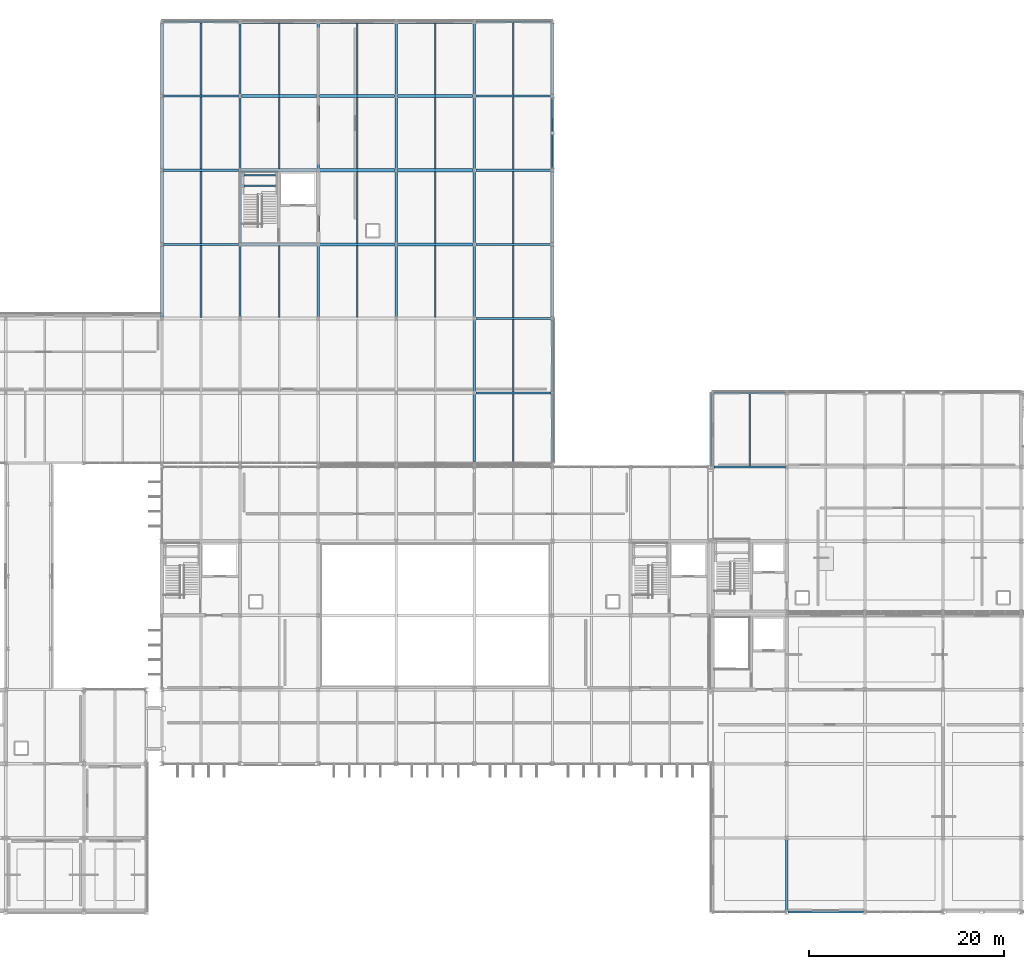
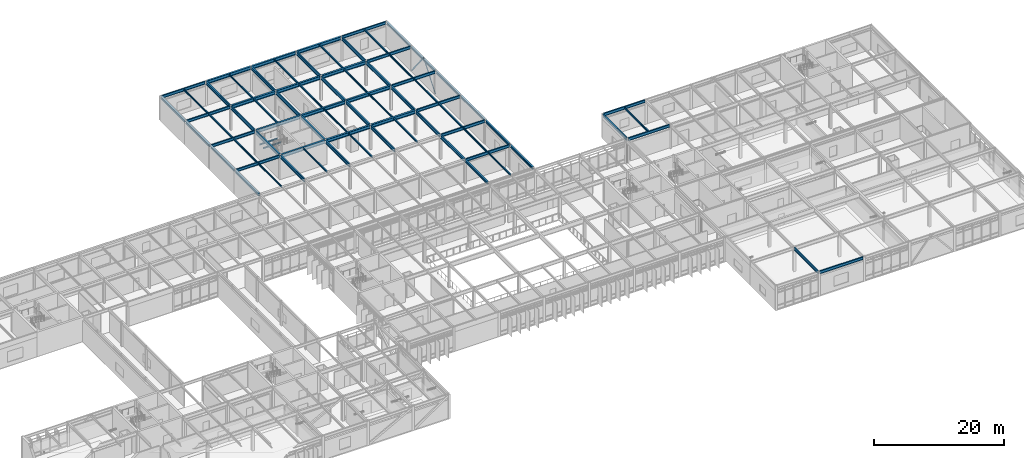
# One storey, part 56 of 104: 79 beams, 2 members.
"""IFC4 building model written with IfcOpenShell, lengths in metres."""

from ifc_helpers import new_model, si_unit, direction, frame, origin, origin_2d, place, context, subcontext, project, spatial, hollow_rectangle, i_section, extrude, material, material_profile, profile_set, type_object, element, save


model = new_model("IFC4")

# Units and contexts
model_context = context("Model", 3, precision=1e-05, world=origin(), true_north=direction((0.0, 1.0)))
body_context = subcontext(model_context, "Body", "Model", "MODEL_VIEW")
ifc_project = project(units=[si_unit("LENGTHUNIT", "METRE"), si_unit("AREAUNIT", "SQUARE_METRE"), si_unit("VOLUMEUNIT", "CUBIC_METRE"), si_unit("PLANEANGLEUNIT", "RADIAN"), si_unit("MASSUNIT", "GRAM", prefix="KILO")], contexts=[model_context])

# Site, building, storey
site_placement = place(None, origin())
site = spatial("IfcSite", under=ifc_project, at=site_placement, CompositionType="ELEMENT")
building_placement = place(site_placement, origin())
building = spatial("IfcBuilding", under=site, at=building_placement, Name="Zulena Civic Courthouse", CompositionType="ELEMENT")
storey_placement = place(building_placement, frame((0.0, 0.0, 15.60009765625)))
storey = spatial("IfcBuildingStorey", under=building, at=storey_placement, Name="L03", CompositionType="ELEMENT", Elevation=15.60009765625)

# Members
ifc_material_1 = material(Name="Steel ASTM A500 Grade C", Category="steel")
ifc_material_profile_1 = material_profile(ifc_material_1, hollow_rectangle(XDim=0.10205078125, YDim=0.202880859375, WallThickness=0.0087890625, at=origin_2d()), Name="HSS8X4X3/8")
ifc_profile_set_1 = profile_set([ifc_material_profile_1], Name="Steel ASTM A500 Grade C")
member_type = type_object("IfcMemberType", Name="Brace_HSS8X4", PredefinedType="BRACE", material=ifc_profile_set_1)
for number, where, z_axis, x_axis, name in (
    (1, (108.0, 76.14990234375, 0.010009765625), (0.0, 0.620508918116, 0.78419938953), (-1.0, 0.0, 0.0), "brace:V5:L03:6:0"),
    (2, (108.0, 83.449951171875, 0.010009765625), (0.0, -0.620483039335, 0.784219865788), (1.0, 0.0, 0.0), "brace:V5:L03:6:1"),
):
    element("IfcMember", number, at=place(storey_placement, frame(where, z_axis=z_axis, x_axis=x_axis)), inside=storey, type_object=member_type, Name=name, PredefinedType="BRACE", context=body_context, shape_type="SweptSolid", body=[
        extrude(hollow_rectangle(XDim=0.10205078125, YDim=0.202880859375, WallThickness=0.0087890625, at=origin_2d()), origin(), (0.0, 0.0, 1.0), 5.8017578125),
    ])

# Beams
ifc_material_2 = material(Name="Steel ASTM A992 Grade 50", Category="steel")
ifc_material_profile_2 = material_profile(ifc_material_2, i_section(OverallWidth=0.324951171875, OverallDepth=0.615966796875, WebThickness=0.013916015625, FlangeThickness=0.021484375, FilletRadius=0.0126953125, at=origin_2d()), Name="W24X117")
ifc_profile_set_2 = profile_set([ifc_material_profile_2], Name="Steel ASTM A992 Grade 50")
beam_type_1 = type_object("IfcBeamType", Name="Girder_W24X117", PredefinedType="BEAM", material=ifc_profile_set_2)
for number, where, z_axis, x_axis, name in (
    (3, (76.14501953125, 68.39990234375, 4.281982421875), (1.0, 0.0, 0.0), (0.0, 1.0, 0.0), "beam:X:V5:L03:68.4:76.0_84.0"),
    (4, (84.14501953125, 68.39990234375, 4.281982421875), (1.0, 0.0, 0.0), (0.0, 1.0, 0.0), "beam:X:V5:L03:68.4:84.0_92.0"),
    (5, (92.14501953125, 68.39990234375, 4.281982421875), (1.0, 0.0, 0.0), (0.0, 1.0, 0.0), "beam:X:V5:L03:68.4:92.0_100.0"),
    (6, (76.14501953125, 76.0, 4.281982421875), (1.0, 0.0, 0.0), (0.0, 1.0, 0.0), "beam:X:V5:L03:76.0:76.0_84.0"),
    (7, (84.14501953125, 76.0, 4.281982421875), (1.0, 0.0, 0.0), (0.0, 1.0, 0.0), "beam:X:V5:L03:76.0:84.0_92.0"),
    (8, (92.14501953125, 76.0, 4.281982421875), (1.0, 0.0, 0.0), (0.0, 1.0, 0.0), "beam:X:V5:L03:76.0:92.0_100.0"),
    (9, (76.14501953125, 83.60009765625, 4.281982421875), (1.0, 0.0, 0.0), (0.0, 1.0, 0.0), "beam:X:V5:L03:83.6:76.0_84.0"),
    (10, (84.14501953125, 83.60009765625, 4.281982421875), (1.0, 0.0, 0.0), (0.0, 1.0, 0.0), "beam:X:V5:L03:83.6:84.0_92.0"),
    (11, (92.14501953125, 83.60009765625, 4.281982421875), (1.0, 0.0, 0.0), (0.0, 1.0, 0.0), "beam:X:V5:L03:83.6:92.0_100.0"),
    (12, (76.14501953125, 91.199951171875, 4.281982421875), (1.0, 0.0, 0.0), (0.0, 1.0, 0.0), "beam:X:V5:L03:91.2:76.0_84.0"),
    (13, (84.14501953125, 91.199951171875, 4.281982421875), (1.0, 0.0, 0.0), (0.0, 1.0, 0.0), "beam:X:V5:L03:91.2:84.0_92.0"),
    (14, (92.14501953125, 91.199951171875, 4.281982421875), (1.0, 0.0, 0.0), (0.0, 1.0, 0.0), "beam:X:V5:L03:91.2:92.0_100.0"),
):
    element("IfcBeam", number, at=place(storey_placement, frame(where, z_axis=z_axis, x_axis=x_axis)), inside=storey, type_object=beam_type_1, Name=name, PredefinedType="BEAM", context=body_context, shape_type="SweptSolid", body=[
        extrude(i_section(OverallWidth=0.324951171875, OverallDepth=0.615966796875, WebThickness=0.013916015625, FlangeThickness=0.021484375, FilletRadius=0.0126953125, at=origin_2d()), origin(), (0.0, 0.0, 1.0), 7.7099609375),
    ])
ifc_material_profile_3 = material_profile(ifc_material_2, i_section(OverallWidth=0.22998046875, OverallDepth=0.616943359375, WebThickness=0.01318359375, FlangeThickness=0.022216796875, FilletRadius=0.0126953125, at=origin_2d()), Name="W24X94")
ifc_profile_set_3 = profile_set([ifc_material_profile_3], Name="Steel ASTM A992 Grade 50")
beam_type_2 = type_object("IfcBeamType", Name="Girder_W24X94", PredefinedType="BEAM", material=ifc_profile_set_3)
beam_1_placement = place(storey_placement, frame((76.0, 60.945068359375, 4.281494140625), z_axis=(0.0, 1.0, 0.0), x_axis=(-1.0, 0.0, 0.0)))
element("IfcBeam", 15, at=beam_1_placement, inside=storey, type_object=beam_type_2, Name="beam:Y:V5:L03:76.0:60.8_68.4", PredefinedType="BEAM", context=body_context, shape_type="SweptSolid", body=[
    extrude(i_section(OverallWidth=0.22998046875, OverallDepth=0.616943359375, WebThickness=0.01318359375, FlangeThickness=0.022216796875, FilletRadius=0.0126953125, at=origin_2d()), origin(), (0.0, 0.0, 1.0), 7.309814453125),
])
for number, where, z_axis, x_axis, name in (
    (16, (76.0, 68.544921875, 4.281494140625), (0.0, 1.0, 0.0), (-1.0, 0.0, 0.0), "beam:Y:V5:L03:76.0:68.4_76.0"),
    (17, (76.0, 76.14501953125, 4.281494140625), (0.0, 1.0, 0.0), (-1.0, 0.0, 0.0), "beam:Y:V5:L03:76.0:76.0_83.6"),
):
    element("IfcBeam", number, at=place(storey_placement, frame(where, z_axis=z_axis, x_axis=x_axis)), inside=storey, type_object=beam_type_2, Name=name, PredefinedType="BEAM", context=body_context, shape_type="SweptSolid", body=[
        extrude(i_section(OverallWidth=0.22998046875, OverallDepth=0.616943359375, WebThickness=0.01318359375, FlangeThickness=0.022216796875, FilletRadius=0.0126953125, at=origin_2d()), origin(), (0.0, 0.0, 1.0), 7.31005859375),
    ])
for number, where, z_axis, x_axis, name in (
    (18, (76.0, 83.7451171875, 4.281494140625), (0.0, 1.0, 0.0), (-1.0, 0.0, 0.0), "beam:Y:V5:L03:76.0:83.6_91.2"),
    (19, (84.0, 60.945068359375, 4.281494140625), (0.0, 1.0, 0.0), (-1.0, 0.0, 0.0), "beam:Y:V5:L03:84.0:60.8_68.4"),
):
    element("IfcBeam", number, at=place(storey_placement, frame(where, z_axis=z_axis, x_axis=x_axis)), inside=storey, type_object=beam_type_2, Name=name, PredefinedType="BEAM", context=body_context, shape_type="SweptSolid", body=[
        extrude(i_section(OverallWidth=0.22998046875, OverallDepth=0.616943359375, WebThickness=0.01318359375, FlangeThickness=0.022216796875, FilletRadius=0.0126953125, at=origin_2d()), origin(), (0.0, 0.0, 1.0), 7.309814453125),
    ])
for number, where, z_axis, x_axis, name in (
    (20, (84.0, 68.544921875, 4.281494140625), (0.0, 1.0, 0.0), (-1.0, 0.0, 0.0), "beam:Y:V5:L03:84.0:68.4_76.0"),
    (21, (84.0, 76.14501953125, 4.281494140625), (0.0, 1.0, 0.0), (-1.0, 0.0, 0.0), "beam:Y:V5:L03:84.0:76.0_83.6"),
):
    element("IfcBeam", number, at=place(storey_placement, frame(where, z_axis=z_axis, x_axis=x_axis)), inside=storey, type_object=beam_type_2, Name=name, PredefinedType="BEAM", context=body_context, shape_type="SweptSolid", body=[
        extrude(i_section(OverallWidth=0.22998046875, OverallDepth=0.616943359375, WebThickness=0.01318359375, FlangeThickness=0.022216796875, FilletRadius=0.0126953125, at=origin_2d()), origin(), (0.0, 0.0, 1.0), 7.31005859375),
    ])
for number, where, z_axis, x_axis, name in (
    (22, (84.0, 83.7451171875, 4.281494140625), (0.0, 1.0, 0.0), (-1.0, 0.0, 0.0), "beam:Y:V5:L03:84.0:83.6_91.2"),
    (23, (92.0, 60.945068359375, 4.281494140625), (0.0, 1.0, 0.0), (-1.0, 0.0, 0.0), "beam:Y:V5:L03:92.0:60.8_68.4"),
):
    element("IfcBeam", number, at=place(storey_placement, frame(where, z_axis=z_axis, x_axis=x_axis)), inside=storey, type_object=beam_type_2, Name=name, PredefinedType="BEAM", context=body_context, shape_type="SweptSolid", body=[
        extrude(i_section(OverallWidth=0.22998046875, OverallDepth=0.616943359375, WebThickness=0.01318359375, FlangeThickness=0.022216796875, FilletRadius=0.0126953125, at=origin_2d()), origin(), (0.0, 0.0, 1.0), 7.309814453125),
    ])
for number, where, z_axis, x_axis, name in (
    (24, (92.0, 68.544921875, 4.281494140625), (0.0, 1.0, 0.0), (-1.0, 0.0, 0.0), "beam:Y:V5:L03:92.0:68.4_76.0"),
    (25, (92.0, 76.14501953125, 4.281494140625), (0.0, 1.0, 0.0), (-1.0, 0.0, 0.0), "beam:Y:V5:L03:92.0:76.0_83.6"),
):
    element("IfcBeam", number, at=place(storey_placement, frame(where, z_axis=z_axis, x_axis=x_axis)), inside=storey, type_object=beam_type_2, Name=name, PredefinedType="BEAM", context=body_context, shape_type="SweptSolid", body=[
        extrude(i_section(OverallWidth=0.22998046875, OverallDepth=0.616943359375, WebThickness=0.01318359375, FlangeThickness=0.022216796875, FilletRadius=0.0126953125, at=origin_2d()), origin(), (0.0, 0.0, 1.0), 7.31005859375),
    ])
beam_2_placement = place(storey_placement, frame((92.0, 83.7451171875, 4.281494140625), z_axis=(0.0, 1.0, 0.0), x_axis=(-1.0, 0.0, 0.0)))
element("IfcBeam", 26, at=beam_2_placement, inside=storey, type_object=beam_type_2, Name="beam:Y:V5:L03:92.0:83.6_91.2", PredefinedType="BEAM", context=body_context, shape_type="SweptSolid", body=[
    extrude(i_section(OverallWidth=0.22998046875, OverallDepth=0.616943359375, WebThickness=0.01318359375, FlangeThickness=0.022216796875, FilletRadius=0.0126953125, at=origin_2d()), origin(), (0.0, 0.0, 1.0), 7.309814453125),
])
beam_3_placement = place(storey_placement, frame((100.0, 53.344970703125, 4.281494140625), z_axis=(0.0, 1.0, 0.0), x_axis=(-1.0, 0.0, 0.0)))
element("IfcBeam", 27, at=beam_3_placement, inside=storey, type_object=beam_type_2, Name="beam:Y:V5:L03:100.0:53.2_60.8", PredefinedType="BEAM", context=body_context, shape_type="SweptSolid", body=[
    extrude(i_section(OverallWidth=0.22998046875, OverallDepth=0.616943359375, WebThickness=0.01318359375, FlangeThickness=0.022216796875, FilletRadius=0.0126953125, at=origin_2d()), origin(), (0.0, 0.0, 1.0), 7.31005859375),
])
beam_4_placement = place(storey_placement, frame((100.0, 60.945068359375, 4.281494140625), z_axis=(0.0, 1.0, 0.0), x_axis=(-1.0, 0.0, 0.0)))
element("IfcBeam", 28, at=beam_4_placement, inside=storey, type_object=beam_type_2, Name="beam:Y:V5:L03:100.0:60.8_68.4", PredefinedType="BEAM", context=body_context, shape_type="SweptSolid", body=[
    extrude(i_section(OverallWidth=0.22998046875, OverallDepth=0.616943359375, WebThickness=0.01318359375, FlangeThickness=0.022216796875, FilletRadius=0.0126953125, at=origin_2d()), origin(), (0.0, 0.0, 1.0), 7.309814453125),
])
for number, where, z_axis, x_axis, name in (
    (29, (100.0, 68.544921875, 4.281494140625), (0.0, 1.0, 0.0), (-1.0, 0.0, 0.0), "beam:Y:V5:L03:100.0:68.4_76.0"),
    (30, (100.0, 76.14501953125, 4.281494140625), (0.0, 1.0, 0.0), (-1.0, 0.0, 0.0), "beam:Y:V5:L03:100.0:76.0_83.6"),
):
    element("IfcBeam", number, at=place(storey_placement, frame(where, z_axis=z_axis, x_axis=x_axis)), inside=storey, type_object=beam_type_2, Name=name, PredefinedType="BEAM", context=body_context, shape_type="SweptSolid", body=[
        extrude(i_section(OverallWidth=0.22998046875, OverallDepth=0.616943359375, WebThickness=0.01318359375, FlangeThickness=0.022216796875, FilletRadius=0.0126953125, at=origin_2d()), origin(), (0.0, 0.0, 1.0), 7.31005859375),
    ])
beam_5_placement = place(storey_placement, frame((100.0, 83.7451171875, 4.281494140625), z_axis=(0.0, 1.0, 0.0), x_axis=(-1.0, 0.0, 0.0)))
element("IfcBeam", 31, at=beam_5_placement, inside=storey, type_object=beam_type_2, Name="beam:Y:V5:L03:100.0:83.6_91.2", PredefinedType="BEAM", context=body_context, shape_type="SweptSolid", body=[
    extrude(i_section(OverallWidth=0.22998046875, OverallDepth=0.616943359375, WebThickness=0.01318359375, FlangeThickness=0.022216796875, FilletRadius=0.0126953125, at=origin_2d()), origin(), (0.0, 0.0, 1.0), 7.309814453125),
])
ifc_material_profile_4 = material_profile(ifc_material_2, i_section(OverallWidth=0.14599609375, OverallDepth=0.258056640625, WebThickness=0.006103515625, FlangeThickness=0.009033203125, FilletRadius=0.007568359375, at=origin_2d()), Name="W10X22")
ifc_profile_set_4 = profile_set([ifc_material_profile_4], Name="Steel ASTM A992 Grade 50")
beam_type_3 = type_object("IfcBeamType", Name="Joist_W10X22", PredefinedType="JOIST", material=ifc_profile_set_4)
for number, where, z_axis, x_axis, name in (
    (32, (76.419921875, 74.39990234375, 1.990966796875), (1.0, 0.0, 0.0), (0.0, 1.0, 0.0), "beam:lnd:K5B:L03:0"),
    (33, (76.419921875, 75.5, 1.990966796875), (1.0, 0.0, 0.0), (0.0, 1.0, 0.0), "beam:lnd:K5B:L03:1"),
):
    element("IfcBeam", number, at=place(storey_placement, frame(where, z_axis=z_axis, x_axis=x_axis)), inside=storey, type_object=beam_type_3, Name=name, PredefinedType="JOIST", context=body_context, shape_type="SweptSolid", body=[
        extrude(i_section(OverallWidth=0.14599609375, OverallDepth=0.258056640625, WebThickness=0.006103515625, FlangeThickness=0.009033203125, FilletRadius=0.007568359375, at=origin_2d()), origin(), (0.0, 0.0, 1.0), 3.2001953125),
    ])
ifc_material_profile_5 = material_profile(ifc_material_2, i_section(OverallWidth=0.1650390625, OverallDepth=0.31005859375, WebThickness=0.005859375, FlangeThickness=0.009765625, FilletRadius=0.009765625, at=origin_2d()), Name="W12X26")
ifc_profile_set_5 = profile_set([ifc_material_profile_5], Name="Steel ASTM A992 Grade 50")
beam_type_4 = type_object("IfcBeamType", Name="Joist_W12X26", PredefinedType="JOIST", material=ifc_profile_set_5)
beam_6_placement = place(storey_placement, frame((72.0, 60.905029296875, 4.434814453125), z_axis=(0.0, 1.0, 0.0), x_axis=(-1.0, 0.0, 0.0)))
element("IfcBeam", 34, at=beam_6_placement, inside=storey, type_object=beam_type_4, Name="joist:V5:L03:72.00:60.8_68.4", PredefinedType="JOIST", context=body_context, shape_type="SweptSolid", body=[
    extrude(i_section(OverallWidth=0.1650390625, OverallDepth=0.31005859375, WebThickness=0.005859375, FlangeThickness=0.009765625, FilletRadius=0.009765625, at=origin_2d()), origin(), (0.0, 0.0, 1.0), 7.389892578125),
])
for number, where, z_axis, x_axis, name in (
    (35, (72.0, 68.5048828125, 4.434814453125), (0.0, 1.0, 0.0), (-1.0, 0.0, 0.0), "joist:V5:L03:72.00:68.4_76.0"),
    (36, (72.0, 76.10498046875, 4.434814453125), (0.0, 1.0, 0.0), (-1.0, 0.0, 0.0), "joist:V5:L03:72.00:76.0_83.6"),
):
    element("IfcBeam", number, at=place(storey_placement, frame(where, z_axis=z_axis, x_axis=x_axis)), inside=storey, type_object=beam_type_4, Name=name, PredefinedType="JOIST", context=body_context, shape_type="SweptSolid", body=[
        extrude(i_section(OverallWidth=0.1650390625, OverallDepth=0.31005859375, WebThickness=0.005859375, FlangeThickness=0.009765625, FilletRadius=0.009765625, at=origin_2d()), origin(), (0.0, 0.0, 1.0), 7.39013671875),
    ])
for number, where, z_axis, x_axis, name in (
    (37, (72.0, 83.705078125, 4.434814453125), (0.0, 1.0, 0.0), (-1.0, 0.0, 0.0), "joist:V5:L03:72.00:83.6_91.2"),
    (38, (80.0, 60.905029296875, 4.434814453125), (0.0, 1.0, 0.0), (-1.0, 0.0, 0.0), "joist:V5:L03:80.00:60.8_68.4"),
):
    element("IfcBeam", number, at=place(storey_placement, frame(where, z_axis=z_axis, x_axis=x_axis)), inside=storey, type_object=beam_type_4, Name=name, PredefinedType="JOIST", context=body_context, shape_type="SweptSolid", body=[
        extrude(i_section(OverallWidth=0.1650390625, OverallDepth=0.31005859375, WebThickness=0.005859375, FlangeThickness=0.009765625, FilletRadius=0.009765625, at=origin_2d()), origin(), (0.0, 0.0, 1.0), 7.389892578125),
    ])
beam_7_placement = place(storey_placement, frame((80.0, 76.10498046875, 4.434814453125), z_axis=(0.0, 1.0, 0.0), x_axis=(-1.0, 0.0, 0.0)))
element("IfcBeam", 39, at=beam_7_placement, inside=storey, type_object=beam_type_4, Name="joist:V5:L03:80.00:76.0_83.6", PredefinedType="JOIST", context=body_context, shape_type="SweptSolid", body=[
    extrude(i_section(OverallWidth=0.1650390625, OverallDepth=0.31005859375, WebThickness=0.005859375, FlangeThickness=0.009765625, FilletRadius=0.009765625, at=origin_2d()), origin(), (0.0, 0.0, 1.0), 7.39013671875),
])
for number, where, z_axis, x_axis, name in (
    (40, (80.0, 83.705078125, 4.434814453125), (0.0, 1.0, 0.0), (-1.0, 0.0, 0.0), "joist:V5:L03:80.00:83.6_91.2"),
    (41, (88.0, 60.905029296875, 4.434814453125), (0.0, 1.0, 0.0), (-1.0, 0.0, 0.0), "joist:V5:L03:88.00:60.8_68.4"),
):
    element("IfcBeam", number, at=place(storey_placement, frame(where, z_axis=z_axis, x_axis=x_axis)), inside=storey, type_object=beam_type_4, Name=name, PredefinedType="JOIST", context=body_context, shape_type="SweptSolid", body=[
        extrude(i_section(OverallWidth=0.1650390625, OverallDepth=0.31005859375, WebThickness=0.005859375, FlangeThickness=0.009765625, FilletRadius=0.009765625, at=origin_2d()), origin(), (0.0, 0.0, 1.0), 7.389892578125),
    ])
for number, where, z_axis, x_axis, name in (
    (42, (88.0, 68.5048828125, 4.434814453125), (0.0, 1.0, 0.0), (-1.0, 0.0, 0.0), "joist:V5:L03:88.00:68.4_76.0"),
    (43, (88.0, 76.10498046875, 4.434814453125), (0.0, 1.0, 0.0), (-1.0, 0.0, 0.0), "joist:V5:L03:88.00:76.0_83.6"),
):
    element("IfcBeam", number, at=place(storey_placement, frame(where, z_axis=z_axis, x_axis=x_axis)), inside=storey, type_object=beam_type_4, Name=name, PredefinedType="JOIST", context=body_context, shape_type="SweptSolid", body=[
        extrude(i_section(OverallWidth=0.1650390625, OverallDepth=0.31005859375, WebThickness=0.005859375, FlangeThickness=0.009765625, FilletRadius=0.009765625, at=origin_2d()), origin(), (0.0, 0.0, 1.0), 7.39013671875),
    ])
for number, where, z_axis, x_axis, name in (
    (44, (88.0, 83.705078125, 4.434814453125), (0.0, 1.0, 0.0), (-1.0, 0.0, 0.0), "joist:V5:L03:88.00:83.6_91.2"),
    (45, (96.0, 60.905029296875, 4.434814453125), (0.0, 1.0, 0.0), (-1.0, 0.0, 0.0), "joist:V5:L03:96.00:60.8_68.4"),
):
    element("IfcBeam", number, at=place(storey_placement, frame(where, z_axis=z_axis, x_axis=x_axis)), inside=storey, type_object=beam_type_4, Name=name, PredefinedType="JOIST", context=body_context, shape_type="SweptSolid", body=[
        extrude(i_section(OverallWidth=0.1650390625, OverallDepth=0.31005859375, WebThickness=0.005859375, FlangeThickness=0.009765625, FilletRadius=0.009765625, at=origin_2d()), origin(), (0.0, 0.0, 1.0), 7.389892578125),
    ])
for number, where, z_axis, x_axis, name in (
    (46, (96.0, 68.5048828125, 4.434814453125), (0.0, 1.0, 0.0), (-1.0, 0.0, 0.0), "joist:V5:L03:96.00:68.4_76.0"),
    (47, (96.0, 76.10498046875, 4.434814453125), (0.0, 1.0, 0.0), (-1.0, 0.0, 0.0), "joist:V5:L03:96.00:76.0_83.6"),
):
    element("IfcBeam", number, at=place(storey_placement, frame(where, z_axis=z_axis, x_axis=x_axis)), inside=storey, type_object=beam_type_4, Name=name, PredefinedType="JOIST", context=body_context, shape_type="SweptSolid", body=[
        extrude(i_section(OverallWidth=0.1650390625, OverallDepth=0.31005859375, WebThickness=0.005859375, FlangeThickness=0.009765625, FilletRadius=0.009765625, at=origin_2d()), origin(), (0.0, 0.0, 1.0), 7.39013671875),
    ])
beam_8_placement = place(storey_placement, frame((96.0, 83.705078125, 4.434814453125), z_axis=(0.0, 1.0, 0.0), x_axis=(-1.0, 0.0, 0.0)))
element("IfcBeam", 48, at=beam_8_placement, inside=storey, type_object=beam_type_4, Name="joist:V5:L03:96.00:83.6_91.2", PredefinedType="JOIST", context=body_context, shape_type="SweptSolid", body=[
    extrude(i_section(OverallWidth=0.1650390625, OverallDepth=0.31005859375, WebThickness=0.005859375, FlangeThickness=0.009765625, FilletRadius=0.009765625, at=origin_2d()), origin(), (0.0, 0.0, 1.0), 7.389892578125),
])
beam_9_placement = place(storey_placement, frame((104.0, 46.10498046875, 4.434814453125), z_axis=(0.0, 1.0, 0.0), x_axis=(-1.0, 0.0, 0.0)))
element("IfcBeam", 49, at=beam_9_placement, inside=storey, type_object=beam_type_4, Name="joist:V5:L03:104.00:46.0_53.2", PredefinedType="JOIST", context=body_context, shape_type="SweptSolid", body=[
    extrude(i_section(OverallWidth=0.1650390625, OverallDepth=0.31005859375, WebThickness=0.005859375, FlangeThickness=0.009765625, FilletRadius=0.009765625, at=origin_2d()), origin(), (0.0, 0.0, 1.0), 6.989990234375),
])
beam_10_placement = place(storey_placement, frame((104.0, 53.304931640625, 4.434814453125), z_axis=(0.0, 1.0, 0.0), x_axis=(-1.0, 0.0, 0.0)))
element("IfcBeam", 50, at=beam_10_placement, inside=storey, type_object=beam_type_4, Name="joist:V5:L03:104.00:53.2_60.8", PredefinedType="JOIST", context=body_context, shape_type="SweptSolid", body=[
    extrude(i_section(OverallWidth=0.1650390625, OverallDepth=0.31005859375, WebThickness=0.005859375, FlangeThickness=0.009765625, FilletRadius=0.009765625, at=origin_2d()), origin(), (0.0, 0.0, 1.0), 7.39013671875),
])
beam_11_placement = place(storey_placement, frame((104.0, 60.905029296875, 4.434814453125), z_axis=(0.0, 1.0, 0.0), x_axis=(-1.0, 0.0, 0.0)))
element("IfcBeam", 51, at=beam_11_placement, inside=storey, type_object=beam_type_4, Name="joist:V5:L03:104.00:60.8_68.4", PredefinedType="JOIST", context=body_context, shape_type="SweptSolid", body=[
    extrude(i_section(OverallWidth=0.1650390625, OverallDepth=0.31005859375, WebThickness=0.005859375, FlangeThickness=0.009765625, FilletRadius=0.009765625, at=origin_2d()), origin(), (0.0, 0.0, 1.0), 7.389892578125),
])
for number, where, z_axis, x_axis, name in (
    (52, (104.0, 68.5048828125, 4.434814453125), (0.0, 1.0, 0.0), (-1.0, 0.0, 0.0), "joist:V5:L03:104.00:68.4_76.0"),
    (53, (104.0, 76.10498046875, 4.434814453125), (0.0, 1.0, 0.0), (-1.0, 0.0, 0.0), "joist:V5:L03:104.00:76.0_83.6"),
):
    element("IfcBeam", number, at=place(storey_placement, frame(where, z_axis=z_axis, x_axis=x_axis)), inside=storey, type_object=beam_type_4, Name=name, PredefinedType="JOIST", context=body_context, shape_type="SweptSolid", body=[
        extrude(i_section(OverallWidth=0.1650390625, OverallDepth=0.31005859375, WebThickness=0.005859375, FlangeThickness=0.009765625, FilletRadius=0.009765625, at=origin_2d()), origin(), (0.0, 0.0, 1.0), 7.39013671875),
    ])
beam_12_placement = place(storey_placement, frame((104.0, 83.705078125, 4.434814453125), z_axis=(0.0, 1.0, 0.0), x_axis=(-1.0, 0.0, 0.0)))
element("IfcBeam", 54, at=beam_12_placement, inside=storey, type_object=beam_type_4, Name="joist:V5:L03:104.00:83.6_91.2", PredefinedType="JOIST", context=body_context, shape_type="SweptSolid", body=[
    extrude(i_section(OverallWidth=0.1650390625, OverallDepth=0.31005859375, WebThickness=0.005859375, FlangeThickness=0.009765625, FilletRadius=0.009765625, at=origin_2d()), origin(), (0.0, 0.0, 1.0), 7.389892578125),
])
ifc_material_profile_6 = material_profile(ifc_material_2, i_section(OverallWidth=0.1708984375, OverallDepth=0.35205078125, WebThickness=0.0068359375, FlangeThickness=0.009765625, FilletRadius=0.01025390625, at=origin_2d()), Name="W14X30")
ifc_profile_set_6 = profile_set([ifc_material_profile_6], Name="Steel ASTM A992 Grade 50")
beam_type_5 = type_object("IfcBeamType", Name="Joist_W14X30", PredefinedType="JOIST", material=ifc_profile_set_6)
beam_13_placement = place(storey_placement, frame((128.199951171875, 45.705078125, 4.368896484375), z_axis=(0.0, 1.0, 0.0), x_axis=(-1.0, 0.0, 0.0)))
element("IfcBeam", 55, at=beam_13_placement, inside=storey, type_object=beam_type_5, Name="joist:V3:L03:128.20:45.6_53.2", PredefinedType="JOIST", context=body_context, shape_type="SweptSolid", body=[
    extrude(i_section(OverallWidth=0.1708984375, OverallDepth=0.35205078125, WebThickness=0.0068359375, FlangeThickness=0.009765625, FilletRadius=0.01025390625, at=origin_2d()), origin(), (0.0, 0.0, 1.0), 7.389892578125),
])
ifc_material_profile_7 = material_profile(ifc_material_2, i_section(OverallWidth=0.280029296875, OverallDepth=0.462890625, WebThickness=0.0107421875, FlangeThickness=0.017333984375, FilletRadius=0.01025390625, at=origin_2d()), Name="W18X76")
ifc_profile_set_7 = profile_set([ifc_material_profile_7], Name="Steel ASTM A992 Grade 50")
beam_type_6 = type_object("IfcBeamType", Name="Spandrel_W18X76", PredefinedType="SPANDREL", material=ifc_profile_set_7)
beam_14_placement = place(storey_placement, frame((68.0, 60.945068359375, 4.3583984375), z_axis=(0.0, 1.0, 0.0), x_axis=(-1.0, 0.0, 0.0)))
element("IfcBeam", 56, at=beam_14_placement, inside=storey, type_object=beam_type_6, Name="beam:Y:V5:L03:68.0:60.8_68.4", PredefinedType="SPANDREL", context=body_context, shape_type="SweptSolid", body=[
    extrude(i_section(OverallWidth=0.280029296875, OverallDepth=0.462890625, WebThickness=0.0107421875, FlangeThickness=0.017333984375, FilletRadius=0.01025390625, at=origin_2d()), origin(), (0.0, 0.0, 1.0), 7.309814453125),
])
for number, where, z_axis, x_axis, name in (
    (57, (68.0, 68.544921875, 4.3583984375), (0.0, 1.0, 0.0), (-1.0, 0.0, 0.0), "beam:Y:V5:L03:68.0:68.4_76.0"),
    (58, (68.0, 76.14501953125, 4.3583984375), (0.0, 1.0, 0.0), (-1.0, 0.0, 0.0), "beam:Y:V5:L03:68.0:76.0_83.6"),
):
    element("IfcBeam", number, at=place(storey_placement, frame(where, z_axis=z_axis, x_axis=x_axis)), inside=storey, type_object=beam_type_6, Name=name, PredefinedType="SPANDREL", context=body_context, shape_type="SweptSolid", body=[
        extrude(i_section(OverallWidth=0.280029296875, OverallDepth=0.462890625, WebThickness=0.0107421875, FlangeThickness=0.017333984375, FilletRadius=0.01025390625, at=origin_2d()), origin(), (0.0, 0.0, 1.0), 7.31005859375),
    ])
beam_15_placement = place(storey_placement, frame((68.0, 83.7451171875, 4.3583984375), z_axis=(0.0, 1.0, 0.0), x_axis=(-1.0, 0.0, 0.0)))
element("IfcBeam", 59, at=beam_15_placement, inside=storey, type_object=beam_type_6, Name="beam:Y:V5:L03:68.0:83.6_91.2", PredefinedType="SPANDREL", context=body_context, shape_type="SweptSolid", body=[
    extrude(i_section(OverallWidth=0.280029296875, OverallDepth=0.462890625, WebThickness=0.0107421875, FlangeThickness=0.017333984375, FilletRadius=0.01025390625, at=origin_2d()), origin(), (0.0, 0.0, 1.0), 7.309814453125),
])
for number, where, z_axis, x_axis, name in (
    (60, (100.0, 46.14501953125, 4.3583984375), (0.0, 1.0, 0.0), (-1.0, 0.0, 0.0), "beam:Y:V5:L03:100.0:46.0_53.2"),
    (61, (108.0, 46.14501953125, 4.3583984375), (0.0, 1.0, 0.0), (-1.0, 0.0, 0.0), "beam:Y:V5:L03:108.0:46.0_53.2"),
):
    element("IfcBeam", number, at=place(storey_placement, frame(where, z_axis=z_axis, x_axis=x_axis)), inside=storey, type_object=beam_type_6, Name=name, PredefinedType="SPANDREL", context=body_context, shape_type="SweptSolid", body=[
        extrude(i_section(OverallWidth=0.280029296875, OverallDepth=0.462890625, WebThickness=0.0107421875, FlangeThickness=0.017333984375, FilletRadius=0.01025390625, at=origin_2d()), origin(), (0.0, 0.0, 1.0), 6.909912109375),
    ])
beam_16_placement = place(storey_placement, frame((108.0, 53.344970703125, 4.3583984375), z_axis=(0.0, 1.0, 0.0), x_axis=(-1.0, 0.0, 0.0)))
element("IfcBeam", 62, at=beam_16_placement, inside=storey, type_object=beam_type_6, Name="beam:Y:V5:L03:108.0:53.2_60.8", PredefinedType="SPANDREL", context=body_context, shape_type="SweptSolid", body=[
    extrude(i_section(OverallWidth=0.280029296875, OverallDepth=0.462890625, WebThickness=0.0107421875, FlangeThickness=0.017333984375, FilletRadius=0.01025390625, at=origin_2d()), origin(), (0.0, 0.0, 1.0), 7.31005859375),
])
beam_17_placement = place(storey_placement, frame((108.0, 60.945068359375, 4.3583984375), z_axis=(0.0, 1.0, 0.0), x_axis=(-1.0, 0.0, 0.0)))
element("IfcBeam", 63, at=beam_17_placement, inside=storey, type_object=beam_type_6, Name="beam:Y:V5:L03:108.0:60.8_68.4", PredefinedType="SPANDREL", context=body_context, shape_type="SweptSolid", body=[
    extrude(i_section(OverallWidth=0.280029296875, OverallDepth=0.462890625, WebThickness=0.0107421875, FlangeThickness=0.017333984375, FilletRadius=0.01025390625, at=origin_2d()), origin(), (0.0, 0.0, 1.0), 7.309814453125),
])
for number, where, z_axis, x_axis, name in (
    (64, (108.0, 68.544921875, 4.3583984375), (0.0, 1.0, 0.0), (-1.0, 0.0, 0.0), "beam:Y:V5:L03:108.0:68.4_76.0"),
    (65, (108.0, 76.14501953125, 4.3583984375), (0.0, 1.0, 0.0), (-1.0, 0.0, 0.0), "beam:Y:V5:L03:108.0:76.0_83.6"),
):
    element("IfcBeam", number, at=place(storey_placement, frame(where, z_axis=z_axis, x_axis=x_axis)), inside=storey, type_object=beam_type_6, Name=name, PredefinedType="SPANDREL", context=body_context, shape_type="SweptSolid", body=[
        extrude(i_section(OverallWidth=0.280029296875, OverallDepth=0.462890625, WebThickness=0.0107421875, FlangeThickness=0.017333984375, FilletRadius=0.01025390625, at=origin_2d()), origin(), (0.0, 0.0, 1.0), 7.31005859375),
    ])
beam_18_placement = place(storey_placement, frame((108.0, 83.7451171875, 4.3583984375), z_axis=(0.0, 1.0, 0.0), x_axis=(-1.0, 0.0, 0.0)))
element("IfcBeam", 66, at=beam_18_placement, inside=storey, type_object=beam_type_6, Name="beam:Y:V5:L03:108.0:83.6_91.2", PredefinedType="SPANDREL", context=body_context, shape_type="SweptSolid", body=[
    extrude(i_section(OverallWidth=0.280029296875, OverallDepth=0.462890625, WebThickness=0.0107421875, FlangeThickness=0.017333984375, FilletRadius=0.01025390625, at=origin_2d()), origin(), (0.0, 0.0, 1.0), 7.309814453125),
])
ifc_material_profile_8 = material_profile(ifc_material_2, i_section(OverallWidth=0.2099609375, OverallDepth=0.537109375, WebThickness=0.010986328125, FlangeThickness=0.017333984375, FilletRadius=0.0126953125, at=origin_2d()), Name="W21X68")
ifc_profile_set_8 = profile_set([ifc_material_profile_8], Name="Steel ASTM A992 Grade 50")
beam_type_7 = type_object("IfcBeamType", Name="Spandrel_W21X68", PredefinedType="SPANDREL", material=ifc_profile_set_8)
beam_19_placement = place(storey_placement, frame((132.14501953125, 0.0, 4.326416015625), z_axis=(1.0, 0.0, 0.0), x_axis=(0.0, 1.0, 0.0)))
element("IfcBeam", 67, at=beam_19_placement, inside=storey, type_object=beam_type_7, Name="beam:X:V1:L03:0.0:132.0_140.0", PredefinedType="SPANDREL", context=body_context, shape_type="SweptSolid", body=[
    extrude(i_section(OverallWidth=0.2099609375, OverallDepth=0.537109375, WebThickness=0.010986328125, FlangeThickness=0.017333984375, FilletRadius=0.0126953125, at=origin_2d()), origin(), (0.0, 0.0, 1.0), 7.7099609375),
])
for number, where, z_axis, x_axis, name in (
    (68, (132.0, 0.14501953125, 4.326416015625), (0.0, 1.0, 0.0), (-1.0, 0.0, 0.0), "beam:Y:V1:L03:132.0:0.0_7.6"),
    (69, (124.544921875, 45.60009765625, 4.2763671875), (1.0, 0.0, 0.0), (0.0, 1.0, 0.0), "beam:X:V3:L03:45.6:124.4_132.0"),
    (70, (124.544921875, 53.199951171875, 4.2763671875), (1.0, 0.0, 0.0), (0.0, 1.0, 0.0), "beam:X:V3:L03:53.2:124.4_132.0"),
):
    element("IfcBeam", number, at=place(storey_placement, frame(where, z_axis=z_axis, x_axis=x_axis)), inside=storey, type_object=beam_type_7, Name=name, PredefinedType="SPANDREL", context=body_context, shape_type="SweptSolid", body=[
        extrude(i_section(OverallWidth=0.2099609375, OverallDepth=0.537109375, WebThickness=0.010986328125, FlangeThickness=0.017333984375, FilletRadius=0.0126953125, at=origin_2d()), origin(), (0.0, 0.0, 1.0), 7.31005859375),
    ])
beam_20_placement = place(storey_placement, frame((124.39990234375, 45.7451171875, 4.2763671875), z_axis=(0.0, 1.0, 0.0), x_axis=(-1.0, 0.0, 0.0)))
element("IfcBeam", 71, at=beam_20_placement, inside=storey, type_object=beam_type_7, Name="beam:Y:V3:L03:124.4:45.6_53.2", PredefinedType="SPANDREL", context=body_context, shape_type="SweptSolid", body=[
    extrude(i_section(OverallWidth=0.2099609375, OverallDepth=0.537109375, WebThickness=0.010986328125, FlangeThickness=0.017333984375, FilletRadius=0.0126953125, at=origin_2d()), origin(), (0.0, 0.0, 1.0), 7.309814453125),
])
for number, where, z_axis, x_axis, name in (
    (72, (100.14501953125, 53.199951171875, 4.3212890625), (1.0, 0.0, 0.0), (0.0, 1.0, 0.0), "beam:X:V5:L03:53.2:100.0_108.0"),
    (73, (100.14501953125, 60.800048828125, 4.3212890625), (1.0, 0.0, 0.0), (0.0, 1.0, 0.0), "beam:X:V5:L03:60.8:100.0_108.0"),
    (74, (68.14501953125, 68.39990234375, 4.3212890625), (1.0, 0.0, 0.0), (0.0, 1.0, 0.0), "beam:X:V5:L03:68.4:68.0_76.0"),
    (75, (100.14501953125, 68.39990234375, 4.3212890625), (1.0, 0.0, 0.0), (0.0, 1.0, 0.0), "beam:X:V5:L03:68.4:100.0_108.0"),
    (76, (68.14501953125, 76.0, 4.3212890625), (1.0, 0.0, 0.0), (0.0, 1.0, 0.0), "beam:X:V5:L03:76.0:68.0_76.0"),
    (77, (100.14501953125, 76.0, 4.3212890625), (1.0, 0.0, 0.0), (0.0, 1.0, 0.0), "beam:X:V5:L03:76.0:100.0_108.0"),
    (78, (68.14501953125, 83.60009765625, 4.3212890625), (1.0, 0.0, 0.0), (0.0, 1.0, 0.0), "beam:X:V5:L03:83.6:68.0_76.0"),
    (79, (100.14501953125, 83.60009765625, 4.3212890625), (1.0, 0.0, 0.0), (0.0, 1.0, 0.0), "beam:X:V5:L03:83.6:100.0_108.0"),
    (80, (68.14501953125, 91.199951171875, 4.3212890625), (1.0, 0.0, 0.0), (0.0, 1.0, 0.0), "beam:X:V5:L03:91.2:68.0_76.0"),
    (81, (100.14501953125, 91.199951171875, 4.3212890625), (1.0, 0.0, 0.0), (0.0, 1.0, 0.0), "beam:X:V5:L03:91.2:100.0_108.0"),
):
    element("IfcBeam", number, at=place(storey_placement, frame(where, z_axis=z_axis, x_axis=x_axis)), inside=storey, type_object=beam_type_7, Name=name, PredefinedType="SPANDREL", context=body_context, shape_type="SweptSolid", body=[
        extrude(i_section(OverallWidth=0.2099609375, OverallDepth=0.537109375, WebThickness=0.010986328125, FlangeThickness=0.017333984375, FilletRadius=0.0126953125, at=origin_2d()), origin(), (0.0, 0.0, 1.0), 7.7099609375),
    ])

save(model, "model.ifc")
